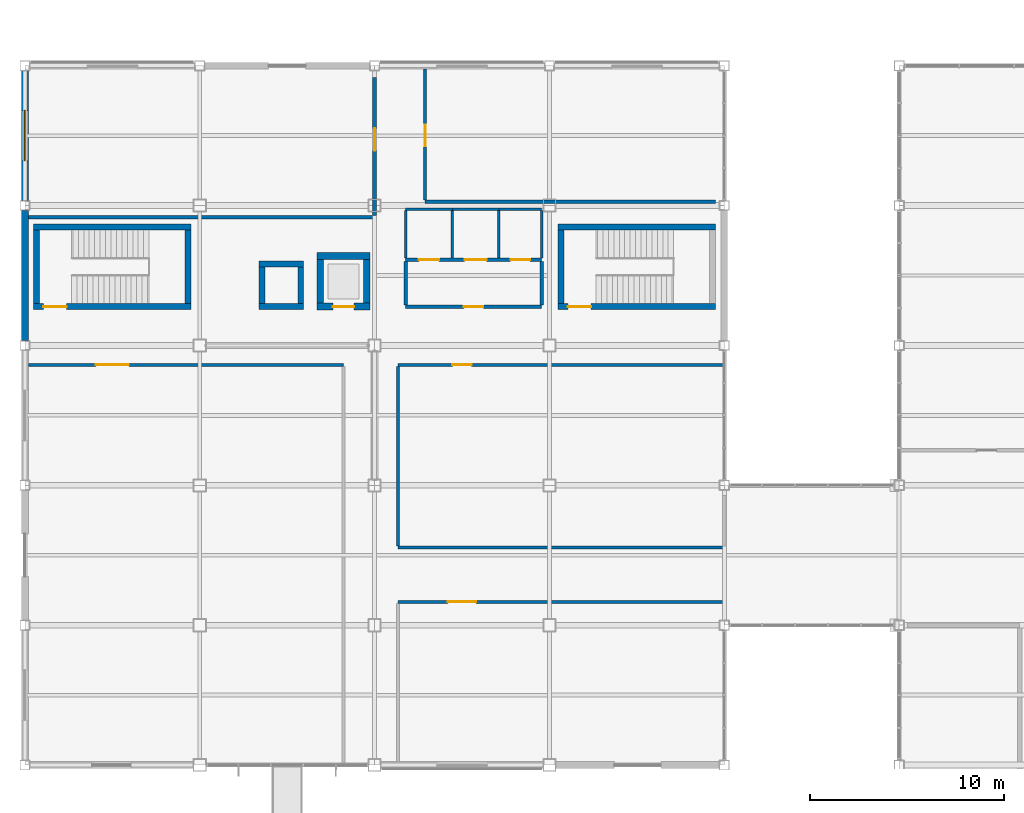
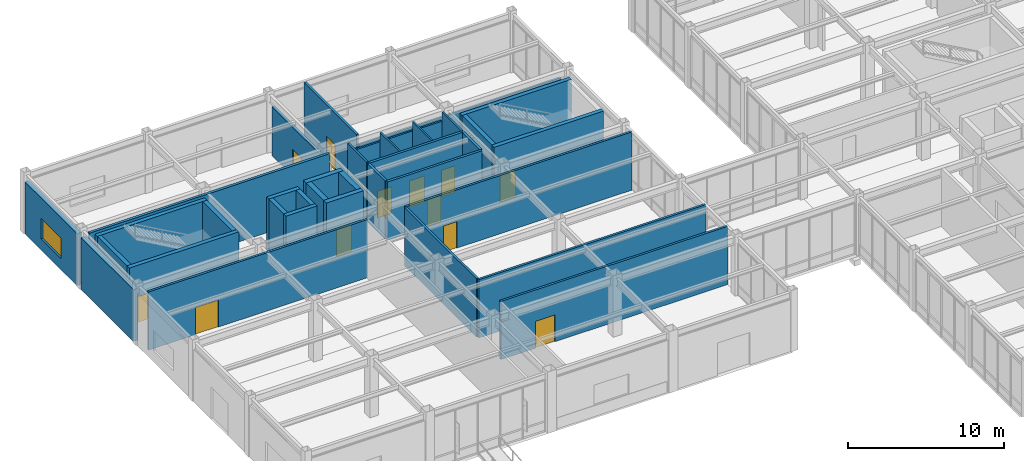
# One storey, part 90 of 112: 37 walls, 12 doors, 1 window, 13 openings.
"""IFC4 building model written with IfcOpenShell, lengths in metres."""

from ifc_helpers import new_model, si_unit, direction, frame, frame_2d, origin, place, context, subcontext, project, spatial, rectangle, extrude, material, layer, layer_set, type_object, element, fill, save


model = new_model("IFC4")

# Units and contexts
model_context = context("Model", 3, precision=1e-05, world=origin(), true_north=direction((0.0, 1.0)))
body_context = subcontext(model_context, "Body", "Model", "MODEL_VIEW")
ifc_project = project(units=[si_unit("LENGTHUNIT", "METRE"), si_unit("AREAUNIT", "SQUARE_METRE"), si_unit("VOLUMEUNIT", "CUBIC_METRE"), si_unit("PLANEANGLEUNIT", "RADIAN"), si_unit("MASSUNIT", "GRAM", prefix="KILO")], contexts=[model_context])

# Site, building, storey
site_placement = place(None, origin())
site = spatial("IfcSite", under=ifc_project, at=site_placement, CompositionType="ELEMENT")
building_placement = place(site_placement, origin())
building = spatial("IfcBuilding", under=site, at=building_placement, Name="Kazanami Central Library", CompositionType="ELEMENT")
storey_placement = place(building_placement, origin())
storey = spatial("IfcBuildingStorey", under=building, at=storey_placement, Name="L01", CompositionType="ELEMENT", Elevation=0.0)

# Wall
ifc_material_1 = material(Name="Concrete Fc36 (36 MPa)", Category="concrete")
ifc_layer_1 = layer(ifc_material_1, 0.27001953125, Name="Concrete Fc36 (36 MPa)")
ifc_material_2 = material(Name="Extruded Polystyrene XPS", Category="earth")
ifc_layer_2 = layer(ifc_material_2, 0.050048828125, Name="Extruded Polystyrene XPS")
ifc_material_3 = material(Name="Honed Inada Granite", Category="masonry")
ifc_layer_3 = layer(ifc_material_3, 0.030029296875, Name="Honed Inada Granite")
ifc_layer_set_1 = layer_set([ifc_layer_1, ifc_layer_2, ifc_layer_3], Name="Concrete Fc36 (36 MPa)")
wall_type_1 = type_object("IfcWallType", Name="WAL-EW-350", PredefinedType="STANDARD", material=ifc_layer_set_1)
wall_1_placement = place(storey_placement, frame((0.0, 79.449951171875, 0.0), z_axis=(0.0, 0.0, 1.0), x_axis=(0.0, 1.0, 0.0)))
element("IfcWall", 1, at=wall_1_placement, inside=storey, type_object=wall_type_1, Name="Exterior Facade Wall EW-350 L01 W-1-11", PredefinedType="STANDARD", context=body_context, shape_type="SweptSolid", body=[
    extrude(rectangle(XDim=6.699951171875, YDim=0.35009765625, at=frame_2d((3.35009765625, 0.0))), origin(), (0.0, 0.0, 1.0), 4.054931640625),
])

# Wall, opening, window
wall_2_placement = place(storey_placement, frame((0.0, 86.64990234375, 0.0), z_axis=(0.0, 0.0, 1.0), x_axis=(0.0, 1.0, 0.0)))
wall_2 = element("IfcWall", 2, at=wall_2_placement, inside=storey, type_object=wall_type_1, Name="Exterior Facade Wall EW-350 L01 W-1-12", PredefinedType="STANDARD", context=body_context, shape_type="SweptSolid", body=[
    extrude(rectangle(XDim=6.7001953125, YDim=0.35009765625, at=frame_2d((3.35009765625, 0.0))), origin(), (0.0, 0.0, 1.0), 4.054931640625),
])
opening_1_placement = place(wall_2_placement, frame((2.050048828125, 0.0, 0.85009765625)))
opening_1 = element("IfcOpeningElement", 3, at=opening_1_placement, cuts=wall_2, Name="Opening WN-13", PredefinedType="OPENING", context=body_context, shape_type="SweptSolid", body=[
    extrude(rectangle(XDim=2.60009765625, YDim=1.60009765625, at=frame_2d((1.300048828125, 0.800048828125))), frame((0.0, 0.18701171875, 0.0), z_axis=(0.0, -1.0, 0.0), x_axis=(1.0, 0.0, 0.0)), (0.0, 0.0, 1.0), 0.3740234375),
])
ifc_material_4 = material(Name="Low-E Insulated Triple Glass", Category="glass")
window_type = type_object("IfcWindowType", Name="WIN-WN-13", PartitioningType="DOUBLE_PANEL_VERTICAL", PredefinedType="WINDOW", material=ifc_material_4)
window_placement = place(opening_1_placement, origin())
window = element("IfcWindow", 4, at=window_placement, inside=storey, type_object=window_type, Name="Facade Window WN-13 L01 W-1-12", OverallHeight=1.60009765625, OverallWidth=2.60009765625, PartitioningType="DOUBLE_PANEL_VERTICAL", PredefinedType="WINDOW", context=body_context, shape_type="SweptSolid", body=[
    extrude(rectangle(XDim=2.60009765625, YDim=1.60009765625, at=frame_2d((1.300048828125, 0.800048828125))), frame((0.0, 0.030029296875, 0.0), z_axis=(0.0, -1.0, 0.0), x_axis=(1.0, 0.0, 0.0)), (0.0, 0.0, 1.0), 0.06005859375),
])
fill(opening_1, window)

# Wall, opening, door
ifc_material_5 = material(Name="Fire-Resistant Gypsum Board GB-F", Category="gypsum")
ifc_layer_4 = layer(ifc_material_5, 0.1650390625, Name="Fire-Resistant Gypsum Board GB-F")
ifc_layer_set_2 = layer_set([ifc_layer_4], Name="Fire-Resistant Gypsum Board GB-F")
wall_type_2 = type_object("IfcWallType", Name="WAL-FW-165", PredefinedType="PARTITIONING", material=ifc_layer_set_2)
wall_3_placement = place(storey_placement, frame((0.179931640625, 78.199951171875, 0.0), z_axis=(0.0, 0.0, 1.0), x_axis=(1.0, 0.0, 0.0)))
wall_3 = element("IfcWall", 5, at=wall_3_placement, inside=storey, type_object=wall_type_2, Name="Interior Partition FW-165 L01 RM-17 (North)", PredefinedType="PARTITIONING", context=body_context, shape_type="SweptSolid", body=[
    extrude(rectangle(XDim=16.219970703125, YDim=0.1650390625, at=frame_2d((8.10986328125, 0.0))), origin(), (0.0, 0.0, 1.0), 4.554931640625),
])
opening_2_placement = place(wall_3_placement, frame((3.469970703125, 0.0, 0.0)))
opening_2 = element("IfcOpeningElement", 6, at=opening_2_placement, cuts=wall_3, Name="Opening FD30-4", PredefinedType="OPENING", context=body_context, shape_type="SweptSolid", body=[
    extrude(rectangle(XDim=1.699951171875, YDim=2.1201171875, at=frame_2d((0.85009765625, 1.06005859375))), frame((0.0, 0.094482421875, 0.0), z_axis=(0.0, -1.0, 0.0), x_axis=(1.0, 0.0, 0.0)), (0.0, 0.0, 1.0), 0.18896484375),
])
ifc_material_6 = material(Name="Cold-Rolled Steel SPCC", Category="steel")
door_type_1 = type_object("IfcDoorType", Name="DOR-FD30-4", OperationType="DOUBLE_DOOR_SINGLE_SWING", PredefinedType="DOOR", material=ifc_material_6)
door_1_placement = place(opening_2_placement, origin())
door_1 = element("IfcDoor", 7, at=door_1_placement, inside=storey, type_object=door_type_1, Name="Interior Door FD30-4 L01 RM-17", OperationType="DOUBLE_DOOR_SINGLE_SWING", OverallHeight=2.1201171875, OverallWidth=1.699951171875, PredefinedType="DOOR", context=body_context, shape_type="SweptSolid", body=[
    extrude(rectangle(XDim=1.699951171875, YDim=2.1201171875, at=frame_2d((0.85009765625, 1.06005859375))), frame((0.0, 0.02490234375, 0.0), z_axis=(0.0, -1.0, 0.0), x_axis=(1.0, 0.0, 0.0)), (0.0, 0.0, 1.0), 0.050048828125),
])
fill(opening_2, door_1)

wall_4_placement = place(storey_placement, frame((19.199951171875, 66.0, 0.0), z_axis=(0.0, 0.0, 1.0), x_axis=(1.0, 0.0, 0.0)))
wall_4 = element("IfcWall", 8, at=wall_4_placement, inside=storey, type_object=wall_type_2, Name="Interior Partition FW-165 L01 RM-18 (North)", PredefinedType="PARTITIONING", context=body_context, shape_type="SweptSolid", body=[
    extrude(rectangle(XDim=16.800048828125, YDim=0.1650390625, at=frame_2d((8.39990234375, 0.0))), origin(), (0.0, 0.0, 1.0), 4.554931640625),
])
opening_3_placement = place(wall_4_placement, frame((2.574951171875, 0.0, 0.0)))
opening_3 = element("IfcOpeningElement", 9, at=opening_3_placement, cuts=wall_4, Name="Opening FD30-6", PredefinedType="OPENING", context=body_context, shape_type="SweptSolid", body=[
    extrude(rectangle(XDim=1.449951171875, YDim=2.10009765625, at=frame_2d((0.72509765625, 1.050048828125))), frame((0.0, 0.094482421875, 0.0), z_axis=(0.0, -1.0, 0.0), x_axis=(1.0, 0.0, 0.0)), (0.0, 0.0, 1.0), 0.18896484375),
])
door_type_2 = type_object("IfcDoorType", Name="DOR-FD30-6", OperationType="DOUBLE_DOOR_SINGLE_SWING", PredefinedType="DOOR", material=ifc_material_6)
door_2_placement = place(opening_3_placement, origin())
door_2 = element("IfcDoor", 10, at=door_2_placement, inside=storey, type_object=door_type_2, Name="Interior Door FD30-6 L01 RM-18", OperationType="DOUBLE_DOOR_SINGLE_SWING", OverallHeight=2.10009765625, OverallWidth=1.449951171875, PredefinedType="DOOR", context=body_context, shape_type="SweptSolid", body=[
    extrude(rectangle(XDim=1.449951171875, YDim=2.10009765625, at=frame_2d((0.72509765625, 1.050048828125))), frame((0.0, 0.02490234375, 0.0), z_axis=(0.0, -1.0, 0.0), x_axis=(1.0, 0.0, 0.0)), (0.0, 0.0, 1.0), 0.050048828125),
])
fill(opening_3, door_2)

# Wall
wall_5_placement = place(storey_placement, frame((19.199951171875, 68.800048828125, 0.0), z_axis=(0.0, 0.0, 1.0), x_axis=(1.0, 0.0, 0.0)))
element("IfcWall", 11, at=wall_5_placement, inside=storey, type_object=wall_type_2, Name="Interior Partition FW-165 L01 RM-19 (South)", PredefinedType="PARTITIONING", context=body_context, shape_type="SweptSolid", body=[
    extrude(rectangle(XDim=16.800048828125, YDim=0.1650390625, at=frame_2d((8.39990234375, 0.0))), origin(), (0.0, 0.0, 1.0), 4.554931640625),
])

# Wall, opening, door
wall_6_placement = place(storey_placement, frame((19.199951171875, 78.199951171875, 0.0), z_axis=(0.0, 0.0, 1.0), x_axis=(1.0, 0.0, 0.0)))
wall_6 = element("IfcWall", 12, at=wall_6_placement, inside=storey, type_object=wall_type_2, Name="Interior Partition FW-165 L01 RM-19 (North)", PredefinedType="PARTITIONING", context=body_context, shape_type="SweptSolid", body=[
    extrude(rectangle(XDim=16.76513671875, YDim=0.1650390625, at=frame_2d((8.382568359375, 0.0))), origin(), (0.0, 0.0, 1.0), 4.554931640625),
])
opening_4_placement = place(wall_6_placement, frame((2.800048828125, 0.0, 0.0)))
opening_4 = element("IfcOpeningElement", 13, at=opening_4_placement, cuts=wall_6, Name="Opening FD30-2", PredefinedType="OPENING", context=body_context, shape_type="SweptSolid", body=[
    extrude(rectangle(XDim=1.0, YDim=2.080078125, at=frame_2d((0.5, 1.0400390625))), frame((0.0, 0.094482421875, 0.0), z_axis=(0.0, -1.0, 0.0), x_axis=(1.0, 0.0, 0.0)), (0.0, 0.0, 1.0), 0.18896484375),
])
door_type_3 = type_object("IfcDoorType", Name="DOR-FD30-2", OperationType="NOTDEFINED", PredefinedType="DOOR", material=ifc_material_6)
door_3_placement = place(opening_4_placement, origin())
door_3 = element("IfcDoor", 14, at=door_3_placement, inside=storey, type_object=door_type_3, Name="Interior Door FD30-2 L01 RM-19", OperationType="SINGLE_SWING_RIGHT", OverallHeight=2.080078125, OverallWidth=1.0, PredefinedType="DOOR", context=body_context, shape_type="SweptSolid", body=[
    extrude(rectangle(XDim=1.0, YDim=2.080078125, at=frame_2d((0.5, 1.0400390625))), frame((0.0, 0.02490234375, 0.0), z_axis=(0.0, -1.0, 0.0), x_axis=(1.0, 0.0, 0.0)), (0.0, 0.0, 1.0), 0.050048828125),
])
fill(opening_4, door_3)

# Walls
wall_7_placement = place(storey_placement, frame((19.199951171875, 68.889892578125, 0.0), z_axis=(0.0, 0.0, 1.0), x_axis=(0.0, 1.0, 0.0)))
element("IfcWall", 15, at=wall_7_placement, inside=storey, type_object=wall_type_2, Name="Interior Partition FW-165 L01 RM-19 (West)", PredefinedType="PARTITIONING", context=body_context, shape_type="SweptSolid", body=[
    extrude(rectangle(XDim=9.22021484375, YDim=0.1650390625, at=frame_2d((4.610107421875, 0.0))), origin(), (0.0, 0.0, 1.0), 4.554931640625),
])
wall_8_placement = place(storey_placement, frame((20.60009765625, 86.60009765625, 0.0), z_axis=(0.0, 0.0, 1.0), x_axis=(1.0, 0.0, 0.0)))
element("IfcWall", 16, at=wall_8_placement, inside=storey, type_object=wall_type_2, Name="Interior Partition FW-165 L01 RM-21 (South)", PredefinedType="PARTITIONING", context=body_context, shape_type="SweptSolid", body=[
    extrude(rectangle(XDim=14.94482421875, YDim=0.1650390625, at=frame_2d((7.472412109375, 0.0))), origin(), (0.0, 0.0, 1.0), 3.8349609375),
])

# Wall, opening, door
wall_9_placement = place(storey_placement, frame((20.60009765625, 86.68994140625, 0.0), z_axis=(0.0, 0.0, 1.0), x_axis=(0.0, 1.0, 0.0)))
wall_9 = element("IfcWall", 17, at=wall_9_placement, inside=storey, type_object=wall_type_2, Name="Interior Partition FW-165 L01 RM-21 (West)", PredefinedType="PARTITIONING", context=body_context, shape_type="SweptSolid", body=[
    extrude(rectangle(XDim=6.72998046875, YDim=0.1650390625, at=frame_2d((3.364990234375, 0.0))), origin(), (0.0, 0.0, 1.0), 4.554931640625),
])
opening_5_placement = place(wall_9_placement, frame((2.75, 0.0, 0.0)))
opening_5 = element("IfcOpeningElement", 18, at=opening_5_placement, cuts=wall_9, Name="Opening FD30-8", PredefinedType="OPENING", context=body_context, shape_type="SweptSolid", body=[
    extrude(rectangle(XDim=1.1201171875, YDim=2.080078125, at=frame_2d((0.56005859375, 1.0400390625))), frame((0.0, 0.094482421875, 0.0), z_axis=(0.0, -1.0, 0.0), x_axis=(1.0, 0.0, 0.0)), (0.0, 0.0, 1.0), 0.18896484375),
])
door_type_4 = type_object("IfcDoorType", Name="DOR-FD30-8", OperationType="NOTDEFINED", PredefinedType="DOOR", material=ifc_material_6)
door_4_placement = place(opening_5_placement, origin())
door_4 = element("IfcDoor", 19, at=door_4_placement, inside=storey, type_object=door_type_4, Name="Interior Door FD30-8 L01 RM-21", OperationType="SINGLE_SWING_RIGHT", OverallHeight=2.080078125, OverallWidth=1.1201171875, PredefinedType="DOOR", context=body_context, shape_type="SweptSolid", body=[
    extrude(rectangle(XDim=1.1201171875, YDim=2.080078125, at=frame_2d((0.56005859375, 1.0400390625))), frame((0.0, 0.02490234375, 0.0), z_axis=(0.0, -1.0, 0.0), x_axis=(1.0, 0.0, 0.0)), (0.0, 0.0, 1.0), 0.050048828125),
])
fill(opening_5, door_4)

ifc_layer_5 = layer(ifc_material_5, 0.179931640625, Name="Fire-Resistant Gypsum Board GB-F")
ifc_layer_set_3 = layer_set([ifc_layer_5], Name="Fire-Resistant Gypsum Board GB-F")
wall_type_3 = type_object("IfcWallType", Name="WAL-FW-180", PredefinedType="PARTITIONING", material=ifc_layer_set_3)
wall_10_placement = place(storey_placement, frame((19.60009765625, 81.199951171875, 0.0), z_axis=(0.0, 0.0, 1.0), x_axis=(1.0, 0.0, 0.0)))
wall_10 = element("IfcWall", 20, at=wall_10_placement, inside=storey, type_object=wall_type_3, Name="Interior Partition FW-180 L01 WC-V4-LOB (South)", PredefinedType="PARTITIONING", context=body_context, shape_type="SweptSolid", body=[
    extrude(rectangle(XDim=7.0, YDim=0.179931640625, at=frame_2d((3.5, 0.0))), origin(), (0.0, 0.0, 1.0), 4.554931640625),
])
opening_6_placement = place(wall_10_placement, frame((3.0, 0.0, 0.0)))
opening_6 = element("IfcOpeningElement", 21, at=opening_6_placement, cuts=wall_10, Name="Opening FD30-2", PredefinedType="OPENING", context=body_context, shape_type="SweptSolid", body=[
    extrude(rectangle(XDim=1.0, YDim=2.080078125, at=frame_2d((0.5, 1.0400390625))), frame((0.0, 0.10205078125, 0.0), z_axis=(0.0, -1.0, 0.0), x_axis=(1.0, 0.0, 0.0)), (0.0, 0.0, 1.0), 0.203857421875),
])
door_5_placement = place(opening_6_placement, origin())
door_5 = element("IfcDoor", 22, at=door_5_placement, inside=storey, type_object=door_type_3, Name="Interior Door FD30-2 L01 WC-V4-LOB", OperationType="SINGLE_SWING_RIGHT", OverallHeight=2.080078125, OverallWidth=1.0, PredefinedType="DOOR", context=body_context, shape_type="SweptSolid", body=[
    extrude(rectangle(XDim=1.0, YDim=2.080078125, at=frame_2d((0.5, 1.0400390625))), frame((0.0, 0.02490234375, 0.0), z_axis=(0.0, -1.0, 0.0), x_axis=(1.0, 0.0, 0.0)), (0.0, 0.0, 1.0), 0.050048828125),
])
fill(opening_6, door_5)

# Wall, openings, doors
wall_11_placement = place(storey_placement, frame((19.60009765625, 83.60009765625, 0.0), z_axis=(0.0, 0.0, 1.0), x_axis=(1.0, 0.0, 0.0)))
wall_11 = element("IfcWall", 23, at=wall_11_placement, inside=storey, type_object=wall_type_3, Name="Interior Partition FW-180 L01 WC-V4-LOB (North)", PredefinedType="PARTITIONING", context=body_context, shape_type="SweptSolid", body=[
    extrude(rectangle(XDim=7.0, YDim=0.179931640625, at=frame_2d((3.5, 0.0))), origin(), (0.0, 0.0, 1.0), 4.554931640625),
])
opening_7_placement = place(wall_11_placement, frame((0.675048828125, 0.0, 0.0)))
opening_7 = element("IfcOpeningElement", 24, at=opening_7_placement, cuts=wall_11, Name="Opening FD30-1", PredefinedType="OPENING", context=body_context, shape_type="SweptSolid", body=[
    extrude(rectangle(XDim=1.050048828125, YDim=2.10009765625, at=frame_2d((0.52490234375, 1.050048828125))), frame((0.0, 0.10205078125, 0.0), z_axis=(0.0, -1.0, 0.0), x_axis=(1.0, 0.0, 0.0)), (0.0, 0.0, 1.0), 0.203857421875),
])
opening_8_placement = place(wall_11_placement, frame((3.0400390625, 0.0, 0.0)))
opening_8 = element("IfcOpeningElement", 25, at=opening_8_placement, cuts=wall_11, Name="Opening FD30-8", PredefinedType="OPENING", context=body_context, shape_type="SweptSolid", body=[
    extrude(rectangle(XDim=1.1201171875, YDim=2.080078125, at=frame_2d((0.56005859375, 1.0400390625))), frame((0.0, 0.10205078125, 0.0), z_axis=(0.0, -1.0, 0.0), x_axis=(1.0, 0.0, 0.0)), (0.0, 0.0, 1.0), 0.203857421875),
])
opening_9_placement = place(wall_11_placement, frame((5.39990234375, 0.0, 0.0)))
opening_9 = element("IfcOpeningElement", 26, at=opening_9_placement, cuts=wall_11, Name="Opening FD30-2", PredefinedType="OPENING", context=body_context, shape_type="SweptSolid", body=[
    extrude(rectangle(XDim=1.0, YDim=2.080078125, at=frame_2d((0.5, 1.0400390625))), frame((0.0, 0.10205078125, 0.0), z_axis=(0.0, -1.0, 0.0), x_axis=(1.0, 0.0, 0.0)), (0.0, 0.0, 1.0), 0.203857421875),
])
door_type_5 = type_object("IfcDoorType", Name="DOR-FD30-1", OperationType="NOTDEFINED", PredefinedType="DOOR", material=ifc_material_6)
door_6_placement = place(opening_7_placement, origin())
door_6 = element("IfcDoor", 27, at=door_6_placement, inside=storey, type_object=door_type_5, Name="Interior Door FD30-1 L01 WC-V4-M", OperationType="SINGLE_SWING_LEFT", OverallHeight=2.10009765625, OverallWidth=1.050048828125, PredefinedType="DOOR", context=body_context, shape_type="SweptSolid", body=[
    extrude(rectangle(XDim=1.050048828125, YDim=2.10009765625, at=frame_2d((0.52490234375, 1.050048828125))), frame((0.0, 0.02490234375, 0.0), z_axis=(0.0, -1.0, 0.0), x_axis=(1.0, 0.0, 0.0)), (0.0, 0.0, 1.0), 0.050048828125),
])
fill(opening_7, door_6)
door_7_placement = place(opening_9_placement, origin())
door_7 = element("IfcDoor", 28, at=door_7_placement, inside=storey, type_object=door_type_3, Name="Interior Door FD30-2 L01 WC-V4-ACC", OperationType="SINGLE_SWING_LEFT", OverallHeight=2.080078125, OverallWidth=1.0, PredefinedType="DOOR", context=body_context, shape_type="SweptSolid", body=[
    extrude(rectangle(XDim=1.0, YDim=2.080078125, at=frame_2d((0.5, 1.0400390625))), frame((0.0, 0.02490234375, 0.0), z_axis=(0.0, -1.0, 0.0), x_axis=(1.0, 0.0, 0.0)), (0.0, 0.0, 1.0), 0.050048828125),
])
fill(opening_9, door_7)
door_8_placement = place(opening_8_placement, origin())
door_8 = element("IfcDoor", 29, at=door_8_placement, inside=storey, type_object=door_type_4, Name="Interior Door FD30-8 L01 WC-V4-F", OperationType="SINGLE_SWING_RIGHT", OverallHeight=2.080078125, OverallWidth=1.1201171875, PredefinedType="DOOR", context=body_context, shape_type="SweptSolid", body=[
    extrude(rectangle(XDim=1.1201171875, YDim=2.080078125, at=frame_2d((0.56005859375, 1.0400390625))), frame((0.0, 0.02490234375, 0.0), z_axis=(0.0, -1.0, 0.0), x_axis=(1.0, 0.0, 0.0)), (0.0, 0.0, 1.0), 0.050048828125),
])
fill(opening_8, door_8)

# Walls
for number, where, z_axis, x_axis, name in (
    (30, (19.60009765625, 81.2900390625, 0.0), (0.0, 0.0, 1.0), (0.0, 1.0, 0.0), "Interior Partition FW-180 L01 WC-V4-LOB (West)"),
    (31, (26.60009765625, 81.2900390625, 0.0), (0.0, 0.0, 1.0), (0.0, 1.0, 0.0), "Interior Partition FW-180 L01 WC-V4-LOB (East)"),
):
    element("IfcWall", number, at=place(storey_placement, frame(where, z_axis=z_axis, x_axis=x_axis)), inside=storey, type_object=wall_type_3, Name=name, PredefinedType="PARTITIONING", context=body_context, shape_type="SweptSolid", body=[
        extrude(rectangle(XDim=2.219970703125, YDim=0.179931640625, at=frame_2d((1.10986328125, 0.0))), origin(), (0.0, 0.0, 1.0), 4.554931640625),
    ])
ifc_layer_6 = layer(ifc_material_5, 0.199951171875, Name="Fire-Resistant Gypsum Board GB-F")
ifc_layer_set_4 = layer_set([ifc_layer_6], Name="Fire-Resistant Gypsum Board GB-F")
wall_type_4 = type_object("IfcWallType", Name="WAL-FW-200", PredefinedType="PARTITIONING", material=ifc_layer_set_4)
wall_12_placement = place(storey_placement, frame((0.179931640625, 85.800048828125, 0.0), z_axis=(0.0, 0.0, 1.0), x_axis=(1.0, 0.0, 0.0)))
element("IfcWall", 32, at=wall_12_placement, inside=storey, type_object=wall_type_4, Name="Interior Partition FW-200 L01 RM-20 (South)", PredefinedType="PARTITIONING", context=body_context, shape_type="SweptSolid", body=[
    extrude(rectangle(XDim=17.820068359375, YDim=0.199951171875, at=frame_2d((8.91015625, 0.0))), origin(), (0.0, 0.0, 1.0), 4.554931640625),
])

# Wall, opening, door
wall_13_placement = place(storey_placement, frame((18.0, 85.889892578125, 0.0), z_axis=(0.0, 0.0, 1.0), x_axis=(0.0, 1.0, 0.0)))
wall_13 = element("IfcWall", 33, at=wall_13_placement, inside=storey, type_object=wall_type_4, Name="Interior Partition FW-200 L01 RM-20 (East)", PredefinedType="PARTITIONING", context=body_context, shape_type="SweptSolid", body=[
    extrude(rectangle(XDim=7.110107421875, YDim=0.199951171875, at=frame_2d((3.55517578125, 0.0))), origin(), (0.0, 0.0, 1.0), 3.8349609375),
])
opening_10_placement = place(wall_13_placement, frame((3.3349609375, 0.0, 0.0)))
opening_10 = element("IfcOpeningElement", 34, at=opening_10_placement, cuts=wall_13, Name="Opening FD60-2", PredefinedType="OPENING", context=body_context, shape_type="SweptSolid", body=[
    extrude(rectangle(XDim=1.14990234375, YDim=2.10009765625, at=frame_2d((0.574951171875, 1.050048828125))), frame((0.0, 0.11181640625, 0.0), z_axis=(0.0, -1.0, 0.0), x_axis=(1.0, 0.0, 0.0)), (0.0, 0.0, 1.0), 0.223876953125),
])
door_type_6 = type_object("IfcDoorType", Name="DOR-FD60-2", OperationType="NOTDEFINED", PredefinedType="DOOR", material=ifc_material_6)
door_9_placement = place(opening_10_placement, origin())
door_9 = element("IfcDoor", 35, at=door_9_placement, inside=storey, type_object=door_type_6, Name="Interior Door FD60-2 L01 RM-20", OperationType="SINGLE_SWING_LEFT", OverallHeight=2.10009765625, OverallWidth=1.14990234375, PredefinedType="DOOR", context=body_context, shape_type="SweptSolid", body=[
    extrude(rectangle(XDim=1.14990234375, YDim=2.10009765625, at=frame_2d((0.574951171875, 1.050048828125))), frame((0.0, 0.02490234375, 0.0), z_axis=(0.0, -1.0, 0.0), x_axis=(1.0, 0.0, 0.0)), (0.0, 0.0, 1.0), 0.050048828125),
])
fill(opening_10, door_9)

# Walls
ifc_material_7 = material(Name="Gypsum Plasterboard GB-R", Category="gypsum")
ifc_layer_7 = layer(ifc_material_7, 0.125, Name="Gypsum Plasterboard GB-R")
ifc_layer_set_5 = layer_set([ifc_layer_7], Name="Gypsum Plasterboard GB-R")
wall_type_5 = type_object("IfcWallType", Name="WAL-PW-125", PredefinedType="PARTITIONING", material=ifc_layer_set_5)
wall_14_placement = place(storey_placement, frame((19.60009765625, 86.199951171875, 0.0), z_axis=(0.0, 0.0, 1.0), x_axis=(1.0, 0.0, 0.0)))
element("IfcWall", 36, at=wall_14_placement, inside=storey, type_object=wall_type_5, Name="Interior Partition PW-125 L01 WC-V4-M (North)", PredefinedType="PARTITIONING", context=body_context, shape_type="SweptSolid", body=[
    extrude(rectangle(XDim=2.39990234375, YDim=0.125, at=frame_2d((1.199951171875, 0.0))), origin(), (0.0, 0.0, 1.0), 3.8349609375),
])
for number, where, z_axis, x_axis, name in (
    (37, (19.60009765625, 83.68994140625, 0.0), (0.0, 0.0, 1.0), (0.0, 1.0, 0.0), "Interior Partition PW-125 L01 WC-V4-M (West)"),
    (38, (22.0, 83.68994140625, 0.0), (0.0, 0.0, 1.0), (0.0, 1.0, 0.0), "Interior Partition PW-125 L01 WC-V4-M (East)"),
):
    element("IfcWall", number, at=place(storey_placement, frame(where, z_axis=z_axis, x_axis=x_axis)), inside=storey, type_object=wall_type_5, Name=name, PredefinedType="PARTITIONING", context=body_context, shape_type="SweptSolid", body=[
        extrude(rectangle(XDim=2.447509765625, YDim=0.125, at=frame_2d((1.2236328125, 0.0))), origin(), (0.0, 0.0, 1.0), 4.554931640625),
    ])
wall_15_placement = place(storey_placement, frame((22.0, 86.199951171875, 0.0), z_axis=(0.0, 0.0, 1.0), x_axis=(1.0, 0.0, 0.0)))
element("IfcWall", 39, at=wall_15_placement, inside=storey, type_object=wall_type_5, Name="Interior Partition PW-125 L01 WC-V4-F (North)", PredefinedType="PARTITIONING", context=body_context, shape_type="SweptSolid", body=[
    extrude(rectangle(XDim=2.39990234375, YDim=0.125, at=frame_2d((1.199951171875, 0.0))), origin(), (0.0, 0.0, 1.0), 3.8349609375),
])
wall_16_placement = place(storey_placement, frame((24.39990234375, 83.68994140625, 0.0), z_axis=(0.0, 0.0, 1.0), x_axis=(0.0, 1.0, 0.0)))
element("IfcWall", 40, at=wall_16_placement, inside=storey, type_object=wall_type_5, Name="Interior Partition PW-125 L01 WC-V4-F (East)", PredefinedType="PARTITIONING", context=body_context, shape_type="SweptSolid", body=[
    extrude(rectangle(XDim=2.447509765625, YDim=0.125, at=frame_2d((1.2236328125, 0.0))), origin(), (0.0, 0.0, 1.0), 4.554931640625),
])
wall_17_placement = place(storey_placement, frame((24.39990234375, 86.199951171875, 0.0), z_axis=(0.0, 0.0, 1.0), x_axis=(1.0, 0.0, 0.0)))
element("IfcWall", 41, at=wall_17_placement, inside=storey, type_object=wall_type_5, Name="Interior Partition PW-125 L01 WC-V4-ACC (North)", PredefinedType="PARTITIONING", context=body_context, shape_type="SweptSolid", body=[
    extrude(rectangle(XDim=2.2001953125, YDim=0.125, at=frame_2d((1.10009765625, 0.0))), origin(), (0.0, 0.0, 1.0), 3.8349609375),
])
wall_18_placement = place(storey_placement, frame((26.60009765625, 83.68994140625, 0.0), z_axis=(0.0, 0.0, 1.0), x_axis=(0.0, 1.0, 0.0)))
element("IfcWall", 42, at=wall_18_placement, inside=storey, type_object=wall_type_5, Name="Interior Partition PW-125 L01 WC-V4-ACC (East)", PredefinedType="PARTITIONING", context=body_context, shape_type="SweptSolid", body=[
    extrude(rectangle(XDim=2.447509765625, YDim=0.125, at=frame_2d((1.2236328125, 0.0))), origin(), (0.0, 0.0, 1.0), 4.554931640625),
])

# Wall, opening, door
ifc_layer_8 = layer(ifc_material_1, 0.300048828125, Name="Concrete Fc36 (36 MPa)")
ifc_layer_set_6 = layer_set([ifc_layer_8], Name="Concrete Fc36 (36 MPa)")
wall_type_6 = type_object("IfcWallType", Name="WAL-SW-300", PredefinedType="SHEAR", material=ifc_layer_set_6)
wall_19_placement = place(storey_placement, frame((0.449951171875, 81.199951171875, 0.0), z_axis=(0.0, 0.0, 1.0), x_axis=(1.0, 0.0, 0.0)))
wall_19 = element("IfcWall", 43, at=wall_19_placement, inside=storey, type_object=wall_type_6, Name="Stair Core Wall ST-05 South L01", PredefinedType="SHEAR", context=body_context, shape_type="SweptSolid", body=[
    extrude(rectangle(XDim=8.10009765625, YDim=0.300048828125, at=frame_2d((4.050048828125, 0.0))), origin(), (0.0, 0.0, 1.0), 4.554931640625),
])
opening_11_placement = place(wall_19_placement, frame((0.5, 0.0, 0.0)))
opening_11 = element("IfcOpeningElement", 44, at=opening_11_placement, cuts=wall_19, Name="Opening FD60-1", PredefinedType="OPENING", context=body_context, shape_type="SweptSolid", body=[
    extrude(rectangle(XDim=1.199951171875, YDim=2.10009765625, at=frame_2d((0.60009765625, 1.050048828125))), frame((0.0, 0.162109375, 0.0), z_axis=(0.0, -1.0, 0.0), x_axis=(1.0, 0.0, 0.0)), (0.0, 0.0, 1.0), 0.323974609375),
])
door_type_7 = type_object("IfcDoorType", Name="DOR-FD60-1", OperationType="NOTDEFINED", PredefinedType="DOOR", material=ifc_material_6)
door_10_placement = place(opening_11_placement, frame((1.199951171875, 0.0, 0.0), z_axis=(0.0, 0.0, 1.0), x_axis=(-1.0, 0.0, 0.0)))
door_10 = element("IfcDoor", 45, at=door_10_placement, inside=storey, type_object=door_type_7, Name="Escape Stair ST-05 Fire Door L01", OperationType="SINGLE_SWING_LEFT", OverallHeight=2.10009765625, OverallWidth=1.199951171875, PredefinedType="DOOR", context=body_context, shape_type="SweptSolid", body=[
    extrude(rectangle(XDim=1.199951171875, YDim=2.10009765625, at=frame_2d((0.60009765625, 1.050048828125))), frame((0.0, 0.02490234375, 0.0), z_axis=(0.0, -1.0, 0.0), x_axis=(1.0, 0.0, 0.0)), (0.0, 0.0, 1.0), 0.050048828125),
])
fill(opening_11, door_10)

# Walls
wall_20_placement = place(storey_placement, frame((0.449951171875, 85.300048828125, 0.0), z_axis=(0.0, 0.0, 1.0), x_axis=(1.0, 0.0, 0.0)))
element("IfcWall", 46, at=wall_20_placement, inside=storey, type_object=wall_type_6, Name="Stair Core Wall ST-05 North L01", PredefinedType="SHEAR", context=body_context, shape_type="SweptSolid", body=[
    extrude(rectangle(XDim=8.10009765625, YDim=0.300048828125, at=frame_2d((4.050048828125, 0.0))), origin(), (0.0, 0.0, 1.0), 4.554931640625),
])
for number, where, z_axis, x_axis, name in (
    (47, (0.60009765625, 81.35009765625, 0.0), (0.0, 0.0, 1.0), (0.0, 1.0, 0.0), "Stair Core Wall ST-05 West L01"),
    (48, (8.39990234375, 81.35009765625, 0.0), (0.0, 0.0, 1.0), (0.0, 1.0, 0.0), "Stair Core Wall ST-05 East L01"),
):
    element("IfcWall", number, at=place(storey_placement, frame(where, z_axis=z_axis, x_axis=x_axis)), inside=storey, type_object=wall_type_6, Name=name, PredefinedType="SHEAR", context=body_context, shape_type="SweptSolid", body=[
        extrude(rectangle(XDim=3.7998046875, YDim=0.300048828125, at=frame_2d((1.89990234375, 0.0))), origin(), (0.0, 0.0, 1.0), 4.554931640625),
    ])

# Wall, opening, door
wall_21_placement = place(storey_placement, frame((27.449951171875, 81.199951171875, 0.0), z_axis=(0.0, 0.0, 1.0), x_axis=(1.0, 0.0, 0.0)))
wall_21 = element("IfcWall", 49, at=wall_21_placement, inside=storey, type_object=wall_type_6, Name="Stair Core Wall ST-06 South L01", PredefinedType="SHEAR", context=body_context, shape_type="SweptSolid", body=[
    extrude(rectangle(XDim=8.10009765625, YDim=0.300048828125, at=frame_2d((4.050048828125, 0.0))), origin(), (0.0, 0.0, 1.0), 4.554931640625),
])
opening_12_placement = place(wall_21_placement, frame((0.5, 0.0, 0.0)))
opening_12 = element("IfcOpeningElement", 50, at=opening_12_placement, cuts=wall_21, Name="Opening FD60-1", PredefinedType="OPENING", context=body_context, shape_type="SweptSolid", body=[
    extrude(rectangle(XDim=1.199951171875, YDim=2.10009765625, at=frame_2d((0.60009765625, 1.050048828125))), frame((0.0, 0.162109375, 0.0), z_axis=(0.0, -1.0, 0.0), x_axis=(1.0, 0.0, 0.0)), (0.0, 0.0, 1.0), 0.323974609375),
])
door_11_placement = place(opening_12_placement, frame((1.199951171875, 0.0, 0.0), z_axis=(0.0, 0.0, 1.0), x_axis=(-1.0, 0.0, 0.0)))
door_11 = element("IfcDoor", 51, at=door_11_placement, inside=storey, type_object=door_type_7, Name="Escape Stair ST-06 Fire Door L01", OperationType="SINGLE_SWING_LEFT", OverallHeight=2.10009765625, OverallWidth=1.199951171875, PredefinedType="DOOR", context=body_context, shape_type="SweptSolid", body=[
    extrude(rectangle(XDim=1.199951171875, YDim=2.10009765625, at=frame_2d((0.60009765625, 1.050048828125))), frame((0.0, 0.02490234375, 0.0), z_axis=(0.0, -1.0, 0.0), x_axis=(1.0, 0.0, 0.0)), (0.0, 0.0, 1.0), 0.050048828125),
])
fill(opening_12, door_11)

# Walls
wall_22_placement = place(storey_placement, frame((27.449951171875, 85.300048828125, 0.0), z_axis=(0.0, 0.0, 1.0), x_axis=(1.0, 0.0, 0.0)))
element("IfcWall", 52, at=wall_22_placement, inside=storey, type_object=wall_type_6, Name="Stair Core Wall ST-06 North L01", PredefinedType="SHEAR", context=body_context, shape_type="SweptSolid", body=[
    extrude(rectangle(XDim=8.10009765625, YDim=0.300048828125, at=frame_2d((4.050048828125, 0.0))), origin(), (0.0, 0.0, 1.0), 4.554931640625),
])
wall_23_placement = place(storey_placement, frame((27.60009765625, 81.35009765625, 0.0), z_axis=(0.0, 0.0, 1.0), x_axis=(0.0, 1.0, 0.0)))
element("IfcWall", 53, at=wall_23_placement, inside=storey, type_object=wall_type_6, Name="Stair Core Wall ST-06 West L01", PredefinedType="SHEAR", context=body_context, shape_type="SweptSolid", body=[
    extrude(rectangle(XDim=3.7998046875, YDim=0.300048828125, at=frame_2d((1.89990234375, 0.0))), origin(), (0.0, 0.0, 1.0), 4.554931640625),
])
for number, where, z_axis, x_axis, name in (
    (54, (12.050048828125, 81.199951171875, 0.0), (0.0, 0.0, 1.0), (1.0, 0.0, 0.0), "Service Riser Wall RSR-V4-A S L01"),
    (55, (12.050048828125, 83.39990234375, 0.0), (0.0, 0.0, 1.0), (1.0, 0.0, 0.0), "Service Riser Wall RSR-V4-A N L01"),
):
    element("IfcWall", number, at=place(storey_placement, frame(where, z_axis=z_axis, x_axis=x_axis)), inside=storey, type_object=wall_type_6, Name=name, PredefinedType="SHEAR", context=body_context, shape_type="SweptSolid", body=[
        extrude(rectangle(XDim=2.300048828125, YDim=0.300048828125, at=frame_2d((1.14990234375, 0.0))), origin(), (0.0, 0.0, 1.0), 4.554931640625),
    ])
for number, where, z_axis, x_axis, name in (
    (56, (12.199951171875, 81.35009765625, 0.0), (0.0, 0.0, 1.0), (0.0, 1.0, 0.0), "Service Riser Wall RSR-V4-A W L01"),
    (57, (14.199951171875, 81.35009765625, 0.0), (0.0, 0.0, 1.0), (0.0, 1.0, 0.0), "Service Riser Wall RSR-V4-A E L01"),
):
    element("IfcWall", number, at=place(storey_placement, frame(where, z_axis=z_axis, x_axis=x_axis)), inside=storey, type_object=wall_type_6, Name=name, PredefinedType="SHEAR", context=body_context, shape_type="SweptSolid", body=[
        extrude(rectangle(XDim=1.89990234375, YDim=0.300048828125, at=frame_2d((0.949951171875, 0.0))), origin(), (0.0, 0.0, 1.0), 4.554931640625),
    ])

# Wall, opening, door
ifc_layer_9 = layer(ifc_material_1, 0.35009765625, Name="Concrete Fc36 (36 MPa)")
ifc_layer_set_7 = layer_set([ifc_layer_9], Name="Concrete Fc36 (36 MPa)")
wall_type_7 = type_object("IfcWallType", Name="WAL-SW-350", PredefinedType="SHEAR", material=ifc_layer_set_7)
wall_24_placement = place(storey_placement, frame((15.02490234375, 81.199951171875, 0.0), z_axis=(0.0, 0.0, 1.0), x_axis=(1.0, 0.0, 0.0)))
wall_24 = element("IfcWall", 58, at=wall_24_placement, inside=storey, type_object=wall_type_7, Name="Lift Shaft Wall EL-P4 South L01", PredefinedType="SHEAR", context=body_context, shape_type="SweptSolid", body=[
    extrude(rectangle(XDim=2.75, YDim=0.35009765625, at=frame_2d((1.375, 0.0))), origin(), (0.0, 0.0, 1.0), 4.554931640625),
])
opening_13_placement = place(wall_24_placement, frame((0.824951171875, 0.0, 0.0)))
opening_13 = element("IfcOpeningElement", 59, at=opening_13_placement, cuts=wall_24, Name="Opening LD-01", PredefinedType="OPENING", context=body_context, shape_type="SweptSolid", body=[
    extrude(rectangle(XDim=1.10009765625, YDim=2.10009765625, at=frame_2d((0.550048828125, 1.050048828125))), frame((0.0, 0.18701171875, 0.0), z_axis=(0.0, -1.0, 0.0), x_axis=(1.0, 0.0, 0.0)), (0.0, 0.0, 1.0), 0.3740234375),
])
ifc_material_8 = material(Name="Stainless Steel SUS304", Category="steel")
door_type_8 = type_object("IfcDoorType", Name="DOR-LD-01", OperationType="SLIDING_TO_LEFT", PredefinedType="DOOR", material=ifc_material_8)
door_12_placement = place(opening_13_placement, origin())
door_12 = element("IfcDoor", 60, at=door_12_placement, inside=storey, type_object=door_type_8, Name="Lift Landing Sliding Door EL-P4 (L01)", OperationType="SLIDING_TO_LEFT", OverallHeight=2.10009765625, OverallWidth=1.10009765625, PredefinedType="DOOR", context=body_context, shape_type="SweptSolid", body=[
    extrude(rectangle(XDim=1.10009765625, YDim=2.10009765625, at=frame_2d((0.550048828125, 1.050048828125))), frame((0.0, 0.02490234375, 0.0), z_axis=(0.0, -1.0, 0.0), x_axis=(1.0, 0.0, 0.0)), (0.0, 0.0, 1.0), 0.050048828125),
])
fill(opening_13, door_12)

# Walls
wall_25_placement = place(storey_placement, frame((15.02490234375, 83.800048828125, 0.0), z_axis=(0.0, 0.0, 1.0), x_axis=(1.0, 0.0, 0.0)))
element("IfcWall", 61, at=wall_25_placement, inside=storey, type_object=wall_type_7, Name="Lift Shaft Wall EL-P4 North L01", PredefinedType="SHEAR", context=body_context, shape_type="SweptSolid", body=[
    extrude(rectangle(XDim=2.75, YDim=0.35009765625, at=frame_2d((1.375, 0.0))), origin(), (0.0, 0.0, 1.0), 4.554931640625),
])
for number, where, z_axis, x_axis, name in (
    (62, (15.199951171875, 81.375, 0.0), (0.0, 0.0, 1.0), (0.0, 1.0, 0.0), "Lift Shaft Wall EL-P4 West L01"),
    (63, (17.60009765625, 81.375, 0.0), (0.0, 0.0, 1.0), (0.0, 1.0, 0.0), "Lift Shaft Wall EL-P4 East L01"),
):
    element("IfcWall", number, at=place(storey_placement, frame(where, z_axis=z_axis, x_axis=x_axis)), inside=storey, type_object=wall_type_7, Name=name, PredefinedType="SHEAR", context=body_context, shape_type="SweptSolid", body=[
        extrude(rectangle(XDim=2.25, YDim=0.35009765625, at=frame_2d((1.125, 0.0))), origin(), (0.0, 0.0, 1.0), 4.554931640625),
    ])

save(model, "model.ifc")
